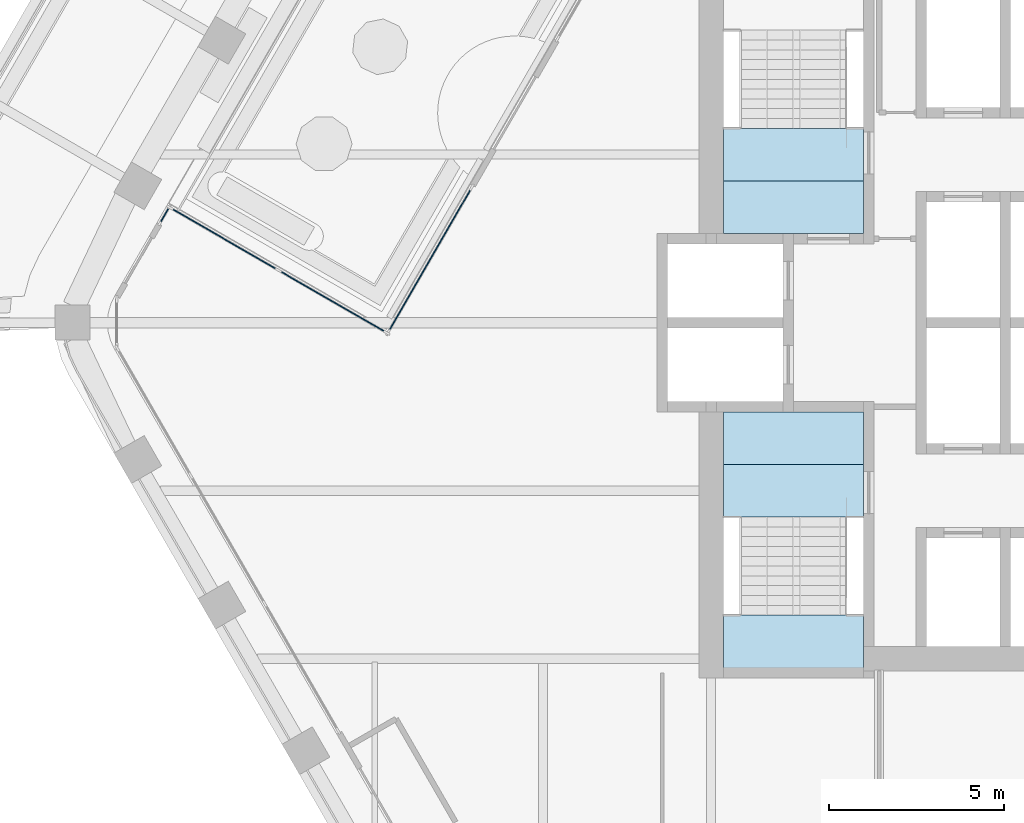
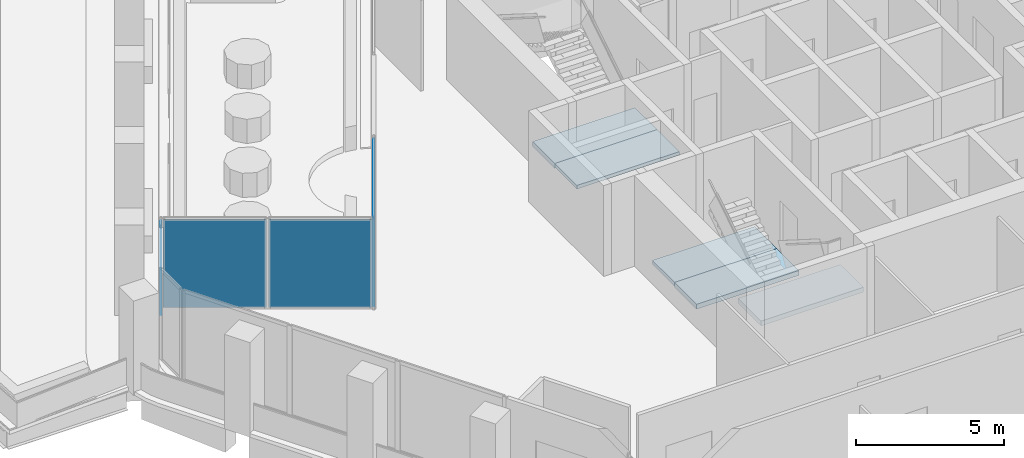
# One storey, part 9 of 18: 5 slabs, 4 plates, 5 elements without a shape of their own.
"""IFC4 building model written with IfcOpenShell, lengths in metres."""

import ifcopenshell
import ifcopenshell.guid

model = None  # the IFC model being written
_history = None  # IfcOwnerHistory: only IFC2X3 demands one
_inside = {}  # id of a spatial element -> (the spatial element, [elements in it])
_under = {}  # id of a project, library or spatial element -> (it, [spatial elements below it])
_declared = {}  # id of a project -> (the project, [libraries it declares])
_typed = {}  # id of a type object -> (the type object, [elements of that type])
_made_of = {}  # id of a material, layer set ... -> (it, [elements and type objects made of it])


def new_model(schema):
    """Start an empty IFC model of exactly this schema.

    Asked for "IFC4X3", IfcOpenShell would pick the latest addendum, in which some entities
    have other attributes; the version numbers below select the first issue.
    IFC2X3 requires an IfcOwnerHistory on every rooted entity: one is made here for all.
    """
    global model, _history
    if schema == "IFC4X3":
        model = ifcopenshell.file(schema_version=(4, 3, 0, 0))
    else:
        model = ifcopenshell.file(schema=schema)
    _inside.clear()
    _under.clear()
    _declared.clear()
    _typed.clear()
    _made_of.clear()
    _history = None
    if model.schema == "IFC2X3":
        org = make("IfcOrganization", Name="unknown")
        user = make(
            "IfcPersonAndOrganization",
            ThePerson=make("IfcPerson", FamilyName="unknown"),
            TheOrganization=org,
        )
        app = make(
            "IfcApplication",
            ApplicationDeveloper=org,
            Version="unknown",
            ApplicationFullName="unknown",
            ApplicationIdentifier="unknown",
        )
        _history = make(
            "IfcOwnerHistory",
            OwningUser=user,
            OwningApplication=app,
            ChangeAction="ADDED",
            CreationDate=0,
        )
    return model


def make(cls, **values):
    """One entity of the class cls with the attributes given. An attribute that is None is left unset."""
    return model.create_entity(
        cls, **{name: value for name, value in values.items() if value is not None}
    )


def rooted(cls, **values):
    """An entity with a GlobalId (a new one), such as an element, a storey or a relation."""
    return make(cls, GlobalId=ifcopenshell.guid.new(), OwnerHistory=_history, **values)


def si_unit(unit_type, name, prefix=None):
    """IfcSIUnit, for example si_unit("LENGTHUNIT", "METRE", prefix="MILLI")."""
    return make("IfcSIUnit", UnitType=unit_type, Prefix=prefix, Name=name)


def assignment(units):
    """IfcUnitAssignment: the units of a project."""
    return None if units is None else make("IfcUnitAssignment", Units=units)


def point(xyz):
    """IfcCartesianPoint."""
    return None if xyz is None else make("IfcCartesianPoint", Coordinates=xyz)


def direction(xyz):
    """IfcDirection."""
    return None if xyz is None else make("IfcDirection", DirectionRatios=xyz)


def frame(location, z_axis=None, x_axis=None):
    """IfcAxis2Placement3D, a coordinate frame: its origin and axes. An axis left out is left unset."""
    return make(
        "IfcAxis2Placement3D",
        Location=point(location),
        Axis=direction(z_axis),
        RefDirection=direction(x_axis),
    )


def frame_2d(location, x_axis=None):
    """IfcAxis2Placement2D, a coordinate frame in the plane: its origin and x axis."""
    return make(
        "IfcAxis2Placement2D", Location=point(location), RefDirection=direction(x_axis)
    )


def origin():
    """The frame at (0, 0, 0) with its axes left unset."""
    return frame((0.0, 0.0, 0.0))


def origin_2d():
    """The frame at (0, 0) in the plane with its x axis left unset."""
    return frame_2d((0.0, 0.0))


def place(relative_to, where):
    """IfcLocalPlacement: puts the frame where relative to a parent placement (None: the world)."""
    return make(
        "IfcLocalPlacement", PlacementRelTo=relative_to, RelativePlacement=where
    )


def context(
    kind, dimensions, precision=None, world=None, true_north=None, identifier=None
):
    """IfcGeometricRepresentationContext, for example the 3D "Model" context."""
    return make(
        "IfcGeometricRepresentationContext",
        ContextIdentifier=identifier,
        ContextType=kind,
        CoordinateSpaceDimension=dimensions,
        Precision=precision,
        WorldCoordinateSystem=world,
        TrueNorth=true_north,
    )


def subcontext(parent, identifier, kind, view, scale=None):
    """IfcGeometricRepresentationSubContext, for example "Body" below "Model"."""
    return make(
        "IfcGeometricRepresentationSubContext",
        ContextIdentifier=identifier,
        ContextType=kind,
        ParentContext=parent,
        TargetScale=scale,
        TargetView=view,
    )


def project(units=None, contexts=None):
    """IfcProject with its units and contexts."""
    return rooted(
        "IfcProject",
        Name="project",
        RepresentationContexts=contexts,
        UnitsInContext=assignment(units),
    )


def spatial(cls, under=None, at=None, **own):
    """A site, building, storey or space (cls), placed at a placement, below another one or the project."""
    s = rooted(cls, ObjectPlacement=at, **own)
    if under is not None:
        _under.setdefault(under.id(), (under, []))[1].append(s)
    return s


def polyline(points):
    """IfcPolyline through the points."""
    return make("IfcPolyline", Points=[point(p) for p in points])


def profile(cls, at=None, kind="AREA", **sizes):
    """A parametric profile (cls). Its sizes go by their IFC names, for example OverallWidth=200.0."""
    return make(cls, ProfileType=kind, Position=at, **sizes)


def rectangle(**sizes):
    """IfcRectangleProfileDef."""
    return profile("IfcRectangleProfileDef", **sizes)


def outline(outer, holes=None, kind="AREA"):
    """IfcArbitraryClosedProfileDef: a profile drawn as a closed curve; with holes, ...WithVoids."""
    if holes is None:
        return make("IfcArbitraryClosedProfileDef", ProfileType=kind, OuterCurve=outer)
    return make(
        "IfcArbitraryProfileDefWithVoids",
        ProfileType=kind,
        OuterCurve=outer,
        InnerCurves=holes,
    )


def extrude(swept, where, along, depth):
    """IfcExtrudedAreaSolid: the profile swept, set in the frame where, extruded along a direction by depth."""
    return make(
        "IfcExtrudedAreaSolid",
        SweptArea=swept,
        Position=where,
        ExtrudedDirection=direction(along),
        Depth=depth,
    )


def shape(context_of_items, identifier, shape_type, items):
    """IfcShapeRepresentation: the items that make up one representation, for example the "Body"."""
    return make(
        "IfcShapeRepresentation",
        ContextOfItems=context_of_items,
        RepresentationIdentifier=identifier,
        RepresentationType=shape_type,
        Items=items,
    )


def material(Name=None, Category=None):
    """IfcMaterial."""
    return make("IfcMaterial", Name=Name, Category=Category)


def layer(
    of_material, thickness, ventilated=None, Name=None, Category=None, Priority=None
):
    """IfcMaterialLayer: one layer of a wall or slab, of a material (None: an air gap)."""
    return make(
        "IfcMaterialLayer",
        Material=of_material,
        LayerThickness=thickness,
        IsVentilated=ventilated,
        Name=Name,
        Category=Category,
        Priority=Priority,
    )


def layer_set(layers, Name=None):
    """IfcMaterialLayerSet."""
    return make("IfcMaterialLayerSet", MaterialLayers=layers, LayerSetName=Name)


def made_of(thing, what):
    """Note that an element or type object is made of a material, layer set ...; save() writes the relation."""
    if what is not None:
        _made_of.setdefault(what.id(), (what, []))[1].append(thing)
    return thing


def type_object(cls, material=None, **own):
    """A type object (cls), such as IfcWallType, which elements share."""
    return made_of(rooted(cls, **own), material)


def element(
    cls,
    number,
    at=None,
    inside=None,
    cuts=None,
    type_object=None,
    material=None,
    context=None,
    identifier="Body",
    shape_type=None,
    held_by="IfcProductDefinitionShape",
    body=None,
    shapes=None,
    **own,
):
    """One element of the class cls, such as IfcWall. Its Tag is "e" and its number.

    at: its placement. inside: the storey or other place that contains it. cuts: it is an
    opening in that element (IfcRelVoidsElement). A single representation is given by context,
    identifier, shape_type and body (its items); several are given by shapes. held_by: the class
    of the entity that holds the representations. save() writes the other relations.
    """
    e = rooted(cls, Tag="e%d" % number, ObjectPlacement=at, **own)
    if body is not None:
        shapes = [shape(context, identifier, shape_type, body)]
    if shapes is not None:
        e.Representation = make(held_by, Representations=shapes)
    if inside is not None:
        _inside.setdefault(inside.id(), (inside, []))[1].append(e)
    if cuts is not None:
        rooted(
            "IfcRelVoidsElement", RelatingBuildingElement=cuts, RelatedOpeningElement=e
        )
    if type_object is not None:
        _typed.setdefault(type_object.id(), (type_object, []))[1].append(e)
    return made_of(e, material)


def aggregate(whole, parts):
    """IfcRelAggregates: a whole, such as a stair, and the parts it consists of."""
    return rooted("IfcRelAggregates", RelatingObject=whole, RelatedObjects=parts)


def save(model, path):
    """Write the relations noted so far, then the file.

    IfcRelAggregates (storeys below a building ...), IfcRelContainedInSpatialStructure (elements
    in a storey), IfcRelDefinesByType, IfcRelAssociatesMaterial and IfcRelDeclares: one each for
    every whole, place, type object, material and project.
    """
    for whole, parts in _under.values():
        aggregate(whole, parts)
    for where, things in _inside.values():
        rooted(
            "IfcRelContainedInSpatialStructure",
            RelatedElements=things,
            RelatingStructure=where,
        )
    for kind, things in _typed.values():
        rooted("IfcRelDefinesByType", RelatedObjects=things, RelatingType=kind)
    for what, things in _made_of.values():
        rooted("IfcRelAssociatesMaterial", RelatedObjects=things, RelatingMaterial=what)
    for by, libraries in _declared.values():
        rooted("IfcRelDeclares", RelatingContext=by, RelatedDefinitions=libraries)
    model.write(path)


model = new_model("IFC4")

# Units and contexts
model_context = context("Model", 3, precision=1e-05, world=origin(), true_north=direction((0.0, 1.0)))
body_context = subcontext(model_context, "Body", "Model", "MODEL_VIEW")
ifc_project = project(units=[si_unit("LENGTHUNIT", "METRE"), si_unit("AREAUNIT", "SQUARE_METRE"), si_unit("VOLUMEUNIT", "CUBIC_METRE"), si_unit("PLANEANGLEUNIT", "RADIAN"), si_unit("MASSUNIT", "GRAM", prefix="KILO")], contexts=[model_context])

# Site, building, storey
site_placement = place(None, origin())
site = spatial("IfcSite", under=ifc_project, at=site_placement, CompositionType="ELEMENT")
building_placement = place(site_placement, origin())
building = spatial("IfcBuilding", under=site, at=building_placement, Name="Kolab Exchange Tower", CompositionType="ELEMENT")
storey_placement = place(building_placement, frame((0.0, 0.0, 150.5)))
storey = spatial("IfcBuildingStorey", under=building, at=storey_placement, Name="L30", CompositionType="ELEMENT", Elevation=150.5)

# Slabs
ifc_material_1 = material(Name="Concrete C35/45", Category="concrete")
ifc_layer_1 = layer(ifc_material_1, 0.14990234375)
ifc_layer_set_1 = layer_set([ifc_layer_1], Name="Concrete C35/45")
slab_type_1 = type_object("IfcSlabType", Name="FLOOR SLAB 150", PredefinedType="FLOOR", material=ifc_layer_set_1)
slab_1_placement = place(storey_placement, frame((0.0, 0.0, -0.14990234375)))
element("IfcSlab", 1, at=slab_1_placement, inside=storey, type_object=slab_type_1, Name="slab/L30/floor/3", PredefinedType="FLOOR", context=body_context, shape_type="SweptSolid", body=[
    extrude(outline(polyline([(-7.550048828125, -2.550048828125), (-9.25, -2.550048828125), (-9.25, -4.050048828125), (-5.25, -4.050048828125), (-5.25, -2.550048828125), (-7.25, -2.550048828125), (-7.550048828125, -2.550048828125)])), origin(), (0.0, 0.0, 1.0), 0.14990234375),
])
slab_2_placement = place(storey_placement, frame((0.0, 0.0, -0.14990234375)))
element("IfcSlab", 2, at=slab_2_placement, inside=storey, type_object=slab_type_1, Name="slab/L30/floor/4", PredefinedType="FLOOR", context=body_context, shape_type="SweptSolid", body=[
    extrude(outline(polyline([(-9.25, 2.550048828125), (-7.550048828125, 2.550048828125), (-7.25, 2.550048828125), (-5.25, 2.550048828125), (-5.25, 4.050048828125), (-9.25, 4.050048828125), (-9.25, 2.550048828125)])), origin(), (0.0, 0.0, 1.0), 0.14990234375),
])

# Stair, slab
ifc_material_2 = material(Name="Concrete C50/60", Category="concrete")
stair_type_1 = type_object("IfcStairType", Name="STAIR ST1 RISER 177.3", PredefinedType="HALF_TURN_STAIR", material=ifc_material_2)
stair_1_placement = place(storey_placement, origin())
stair_1 = element("IfcStair", 3, at=stair_1_placement, inside=storey, type_object=stair_type_1, Name="Stair 1", PredefinedType="HALF_TURN_STAIR")
ifc_layer_2 = layer(ifc_material_2, 0.199951171875)
ifc_layer_set_2 = layer_set([ifc_layer_2], Name="Concrete C50/60")
slab_type_2 = type_object("IfcSlabType", Name="STAIR LANDING 200", PredefinedType="LANDING", material=ifc_layer_set_2)
slab_3_placement = place(storey_placement, frame((0.0, 0.0, -0.199951171875)))
slab_3 = element("IfcSlab", 4, at=slab_3_placement, type_object=slab_type_2, Name="ST1 landing 1", PredefinedType="LANDING", context=body_context, shape_type="SweptSolid", body=[
    extrude(outline(polyline([(-9.25, 4.050048828125), (-5.25, 4.050048828125), (-5.25, 5.550048828125), (-9.25, 5.550048828125), (-9.25, 4.050048828125)])), origin(), (0.0, 0.0, 1.0), 0.199951171875),
])
aggregate(stair_1, [slab_3])

# Stair, slabs
stair_type_2 = type_object("IfcStairType", Name="STAIR ST3 RISER 177.3", PredefinedType="HALF_TURN_STAIR", material=ifc_material_2)
stair_2_placement = place(storey_placement, origin())
stair_2 = element("IfcStair", 5, at=stair_2_placement, inside=storey, type_object=stair_type_2, Name="Stair 3", PredefinedType="HALF_TURN_STAIR")
slab_4_placement = place(storey_placement, frame((0.0, 0.0, -0.199951171875)))
slab_4 = element("IfcSlab", 6, at=slab_4_placement, type_object=slab_type_2, Name="ST3 landing 1", PredefinedType="LANDING", context=body_context, shape_type="SweptSolid", body=[
    extrude(outline(polyline([(-9.25, -5.550048828125), (-5.25, -5.550048828125), (-5.25, -4.050048828125), (-9.25, -4.050048828125), (-9.25, -5.550048828125)])), origin(), (0.0, 0.0, 1.0), 0.199951171875),
])
slab_5_placement = place(storey_placement, frame((0.0, 0.0, 1.75)))
slab_5 = element("IfcSlab", 7, at=slab_5_placement, type_object=slab_type_2, Name="ST3 landing 2", PredefinedType="LANDING", context=body_context, shape_type="SweptSolid", body=[
    extrude(outline(polyline([(-9.25, -9.909912109375), (-5.25, -9.909912109375), (-5.25, -8.35009765625), (-9.25, -8.35009765625), (-9.25, -9.909912109375)])), origin(), (0.0, 0.0, 1.0), 0.199951171875),
])
aggregate(stair_2, [slab_4, slab_5])

# Curtain wall, plate
ifc_material_3 = material(Name="Aluminium EN AW-6063 T6", Category="aluminium")
curtain_wall_type = type_object("IfcCurtainWallType", Name="UNITISED UPPER MID ZONE CURTAIN WALL", PredefinedType="NOTDEFINED", material=ifc_material_3)
curtain_wall_1_placement = place(storey_placement, origin())
curtain_wall_1 = element("IfcCurtainWall", 8, at=curtain_wall_1_placement, inside=storey, type_object=curtain_wall_type, Name="cw/L30/F6-l-1", PredefinedType="NOTDEFINED")
ifc_material_4 = material(Name="Clear insulated glazing unit", Category="glass")
ifc_layer_3 = layer(ifc_material_4, 0.028076171875)
ifc_layer_set_3 = layer_set([ifc_layer_3], Name="Clear insulated glazing unit")
plate_type = type_object("IfcPlateType", Name="UNITISED UPPER MID ZONE GLASS PANEL 28", PredefinedType="CURTAIN_PANEL", material=ifc_layer_set_3)
plate_1_placement = place(storey_placement, frame((-25.20361328125, 3.069091796875, 0.06005859375), z_axis=(0.0, 0.0, 1.0), x_axis=(0.49999949138, 0.866025697436, 0.0)))
plate_1 = element("IfcPlate", 9, at=plate_1_placement, type_object=plate_type, Name="CW3 panel 1.1", PredefinedType="CURTAIN_PANEL", context=body_context, shape_type="SweptSolid", body=[
    extrude(rectangle(XDim=0.407958984375, YDim=0.028076171875, at=origin_2d()), origin(), (0.0, 0.0, 1.0), 3.6298828125),
])
aggregate(curtain_wall_1, [plate_1])

# Curtain wall, plates
curtain_wall_2_placement = place(storey_placement, origin())
curtain_wall_2 = element("IfcCurtainWall", 10, at=curtain_wall_2_placement, inside=storey, type_object=curtain_wall_type, Name="cw/L30/F6-rl-1", PredefinedType="NOTDEFINED")
plate_2_placement = place(storey_placement, frame((-23.499755859375, 2.39013671875, 0.06005859375), z_axis=(0.0, 0.0, 1.0), x_axis=(0.866025407005, -0.499999994423, 0.0)))
plate_2 = element("IfcPlate", 11, at=plate_2_placement, type_object=plate_type, Name="CW3 panel 1.1", PredefinedType="CURTAIN_PANEL", context=body_context, shape_type="SweptSolid", body=[
    extrude(rectangle(XDim=3.510009765625, YDim=0.028076171875, at=origin_2d()), origin(), (0.0, 0.0, 1.0), 3.6298828125),
])
plate_3_placement = place(storey_placement, frame((-20.408203125, 0.605224609375, 0.06005859375), z_axis=(0.0, 0.0, 1.0), x_axis=(0.866025407005, -0.499999994423, 0.0)))
plate_3 = element("IfcPlate", 12, at=plate_3_placement, type_object=plate_type, Name="CW3 panel 2.1", PredefinedType="CURTAIN_PANEL", context=body_context, shape_type="SweptSolid", body=[
    extrude(rectangle(XDim=3.510009765625, YDim=0.028076171875, at=origin_2d()), origin(), (0.0, 0.0, 1.0), 3.6298828125),
])
aggregate(curtain_wall_2, [plate_2, plate_3])

# Curtain wall, plate
curtain_wall_3_placement = place(storey_placement, origin())
curtain_wall_3 = element("IfcCurtainWall", 13, at=curtain_wall_3_placement, inside=storey, type_object=curtain_wall_type, Name="cw/L30/F6-back-1", PredefinedType="NOTDEFINED")
plate_4_placement = place(storey_placement, frame((-17.626220703125, 1.79345703125, 0.06005859375), z_axis=(0.0, 0.0, 1.0), x_axis=(0.499999995919, 0.866025406141, 0.0)))
plate_4 = element("IfcPlate", 14, at=plate_4_placement, type_object=plate_type, Name="CW3 panel 1.1", PredefinedType="CURTAIN_PANEL", context=body_context, shape_type="SweptSolid", body=[
    extrude(rectangle(XDim=4.719970703125, YDim=0.028076171875, at=origin_2d()), origin(), (0.0, 0.0, 1.0), 3.6298828125),
])
aggregate(curtain_wall_3, [plate_4])

save(model, "model.ifc")
